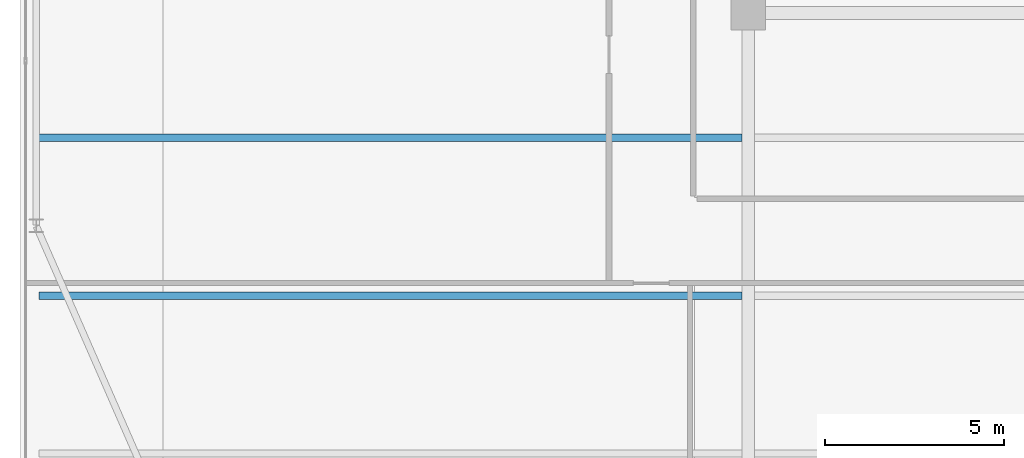
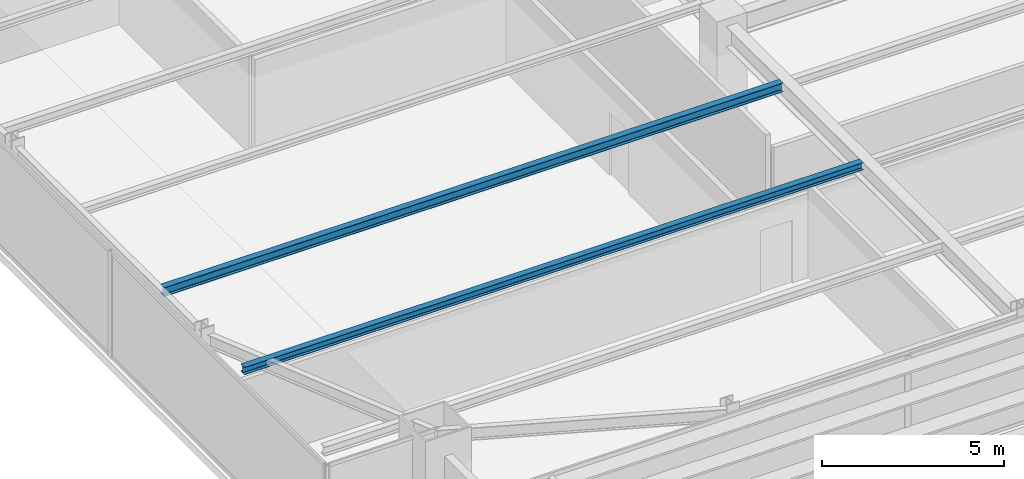
# One storey, part 7 of 30: 2 beams.
"""IFC4 building model written with IfcOpenShell, lengths in metres."""

from ifc_helpers import new_model, si_unit, direction, frame, origin, origin_2d, place, context, subcontext, project, spatial, i_section, extrude, source, transform, mapped, material, material_profile, profile_set, type_object, type_shapes, element, save


model = new_model("IFC4")

# Units and contexts
model_context = context("Model", 3, precision=1e-05, world=origin(), true_north=direction((0.0, 1.0)))
body_context = subcontext(model_context, "Body", "Model", "MODEL_VIEW")
ifc_project = project(units=[si_unit("LENGTHUNIT", "METRE"), si_unit("AREAUNIT", "SQUARE_METRE"), si_unit("VOLUMEUNIT", "CUBIC_METRE"), si_unit("PLANEANGLEUNIT", "RADIAN"), si_unit("MASSUNIT", "GRAM", prefix="KILO")], contexts=[model_context])

# Site, building, storey
site_placement = place(None, origin())
site = spatial("IfcSite", under=ifc_project, at=site_placement, CompositionType="ELEMENT")
building_placement = place(site_placement, origin())
building = spatial("IfcBuilding", under=site, at=building_placement, Name="Varnel Quay Broadcast Tower", CompositionType="ELEMENT")
storey_placement = place(building_placement, frame((0.0, 0.0, 122.0)))
storey = spatial("IfcBuildingStorey", under=building, at=storey_placement, Name="L29", CompositionType="ELEMENT", Elevation=122.0)

# Beams
ifc_material = material(Name="Structural Steel CSA G40.21 350W", Category="steel")
ifc_material_profile_1 = material_profile(ifc_material, i_section(OverallWidth=0.202880859375, OverallDepth=0.302978515625, WebThickness=0.007568359375, FlangeThickness=0.01318359375, FilletRadius=0.011962890625, at=origin_2d()), Name="W310X60")
ifc_profile_set_1 = profile_set([ifc_material_profile_1], Name="Structural Steel CSA G40.21 350W")
beam_type_1 = type_object("IfcBeamType", Name="Beam_W310X60", PredefinedType="JOIST", material=ifc_profile_set_1)
shared_shape_1 = source(origin(), body_context, "Body", "SweptSolid", [
    extrude(i_section(OverallWidth=0.202880859375, OverallDepth=0.302978515625, WebThickness=0.007568359375, FlangeThickness=0.01318359375, FilletRadius=0.011962890625, at=origin_2d()), origin(), (0.0, 0.0, 1.0), 19.592041015625),
])
type_shapes(beam_type_1, [shared_shape_1])
beam_1_placement = place(storey_placement, frame((5.035400390625, 17.449951171875, 3.3984375), z_axis=(1.0, 0.0, 0.0), x_axis=(0.0, 1.0, 0.0)))
element("IfcBeam", 1, at=beam_1_placement, inside=storey, type_object=beam_type_1, Name="L29 West Floor Joist 3", PredefinedType="JOIST", context=body_context, shape_type="MappedRepresentation", body=[
    mapped(shared_shape_1, transform((0.0, 0.0, 0.0), x_axis=(1.0, 0.0, 0.0), y_axis=(0.0, 1.0, 0.0), z_axis=(0.0, 0.0, 1.0), scale=1.0)),
])
ifc_material_profile_2 = material_profile(ifc_material, i_section(OverallWidth=0.201904296875, OverallDepth=0.2470703125, WebThickness=0.00732421875, FlangeThickness=0.010986328125, FilletRadius=0.010986328125, at=origin_2d()), Name="W250X49")
ifc_profile_set_2 = profile_set([ifc_material_profile_2], Name="Structural Steel CSA G40.21 350W")
beam_type_2 = type_object("IfcBeamType", Name="Beam_W250X49", PredefinedType="JOIST", material=ifc_profile_set_2)
shared_shape_2 = source(origin(), body_context, "Body", "SweptSolid", [
    extrude(i_section(OverallWidth=0.201904296875, OverallDepth=0.2470703125, WebThickness=0.00732421875, FlangeThickness=0.010986328125, FilletRadius=0.010986328125, at=origin_2d()), origin(), (0.0, 0.0, 1.0), 19.592041015625),
])
type_shapes(beam_type_2, [shared_shape_2])
beam_2_placement = place(storey_placement, frame((5.035400390625, 13.050048828125, 3.426513671875), z_axis=(1.0, 0.0, 0.0), x_axis=(0.0, 1.0, 0.0)))
element("IfcBeam", 2, at=beam_2_placement, inside=storey, type_object=beam_type_2, Name="L29 West Floor Joist 2", PredefinedType="JOIST", context=body_context, shape_type="MappedRepresentation", body=[
    mapped(shared_shape_2, transform((0.0, 0.0, 0.0), x_axis=(1.0, 0.0, 0.0), y_axis=(0.0, 1.0, 0.0), z_axis=(0.0, 0.0, 1.0), scale=1.0)),
])

save(model, "model.ifc")
